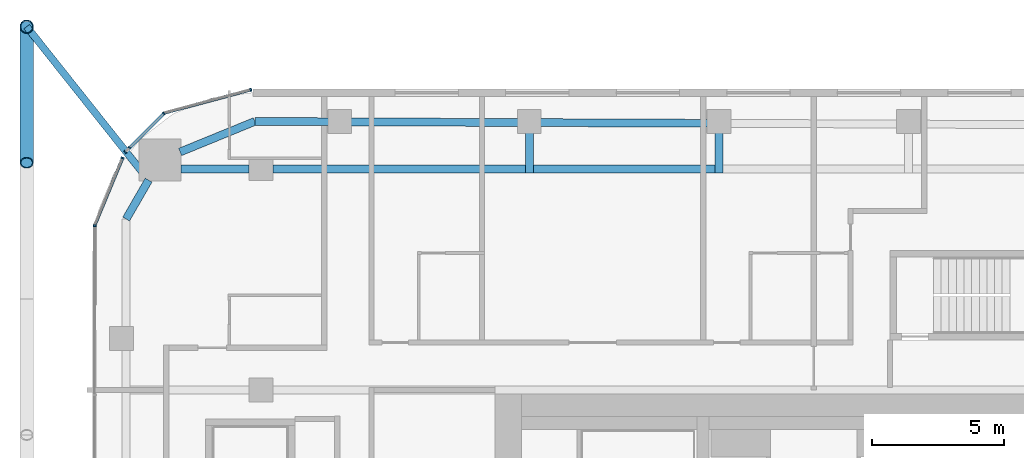
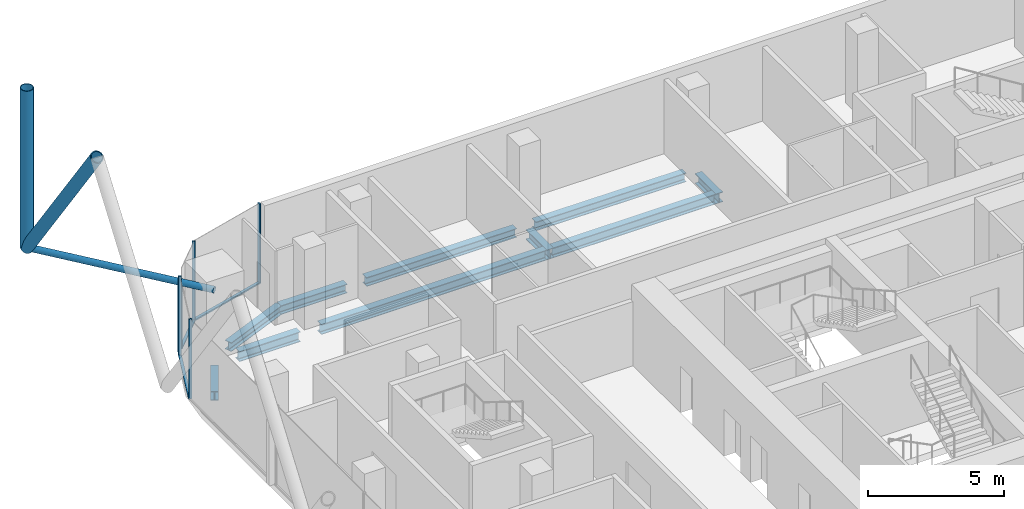
# One storey, part 11 of 33: 12 members, 10 beams, 5 elements without a shape of their own.
"""IFC4 building model written with IfcOpenShell, lengths in metres."""

from ifc_helpers import new_model, si_unit, direction, frame, origin, origin_2d, place, context, subcontext, project, spatial, rectangle, hollow_circle, i_section, extrude, material, layer, layer_set, material_profile, profile_set, type_object, element, aggregate, save


model = new_model("IFC4")

# Units and contexts
model_context = context("Model", 3, precision=1e-05, world=origin(), true_north=direction((0.0, 1.0)))
body_context = subcontext(model_context, "Body", "Model", "MODEL_VIEW")
ifc_project = project(units=[si_unit("LENGTHUNIT", "METRE"), si_unit("AREAUNIT", "SQUARE_METRE"), si_unit("VOLUMEUNIT", "CUBIC_METRE"), si_unit("PLANEANGLEUNIT", "RADIAN"), si_unit("MASSUNIT", "GRAM", prefix="KILO")], contexts=[model_context])

# Site, building, storey
site_placement = place(None, origin())
site = spatial("IfcSite", under=ifc_project, at=site_placement, CompositionType="ELEMENT")
building_placement = place(site_placement, origin())
building = spatial("IfcBuilding", under=site, at=building_placement, Name="Marenta Gate Hotel Tower", CompositionType="ELEMENT")
storey_placement = place(building_placement, frame((0.0, 0.0, 137.300048828125)))
storey = spatial("IfcBuildingStorey", under=building, at=storey_placement, Name="L31", CompositionType="ELEMENT", Elevation=137.300048828125)

# Members
ifc_material_1 = material(Name="Steel S355J2W", Category="steel")
ifc_material_profile_1 = material_profile(ifc_material_1, hollow_circle(Radius=0.25390625, WallThickness=0.02490234375, at=origin_2d()), Name="CHS 508x25")
ifc_profile_set_1 = profile_set([ifc_material_profile_1], Name="Steel S355J2W")
member_type_1 = type_object("IfcMemberType", Name="Diagrid corner post Z2 CHS 508x25", PredefinedType="POST", material=ifc_profile_set_1)
member_1_placement = place(storey_placement, frame((-29.89990234375, 30.60009765625, 3.139892578125), z_axis=(0.0, 0.0, 1.0), x_axis=(1.0, 0.0, 0.0)))
element("IfcMember", 1, at=member_1_placement, inside=storey, type_object=member_type_1, Name="L31-DR-6", PredefinedType="POST", context=body_context, shape_type="SweptSolid", body=[
    extrude(hollow_circle(Radius=0.25390625, WallThickness=0.02490234375, at=origin_2d()), origin(), (0.0, 0.0, 1.0), 7.199951171875),
])
ifc_material_2 = material(Name="Steel S355J2W", Category="steel")
ifc_material_profile_2 = material_profile(ifc_material_2, hollow_circle(Radius=0.25390625, WallThickness=0.0400390625, at=origin_2d()), Name="CHS 508x40")
ifc_profile_set_2 = profile_set([ifc_material_profile_2], Name="Steel S355J2W")
member_type_2 = type_object("IfcMemberType", Name="Diagrid diagonal Z2 CHS 508x40", PredefinedType="BRACE", material=ifc_profile_set_2)
member_2_placement = place(storey_placement, frame((-29.89990234375, 30.60009765625, 3.139892578125), z_axis=(0.0, -0.583279014058, 0.812271870595), x_axis=(1.0, 0.0, 0.0)))
element("IfcMember", 2, at=member_2_placement, inside=storey, type_object=member_type_2, Name="L31-DG-34", PredefinedType="BRACE", context=body_context, shape_type="SweptSolid", body=[
    extrude(hollow_circle(Radius=0.25390625, WallThickness=0.0400390625, at=origin_2d()), origin(), (0.0, 0.0, 1.0), 8.864013671875),
])

# Beams
ifc_material_3 = material(Name="Steel S355", Category="steel")
ifc_material_profile_3 = material_profile(ifc_material_3, i_section(OverallWidth=0.300048828125, OverallDepth=0.39990234375, WebThickness=0.013427734375, FlangeThickness=0.02392578125, FilletRadius=0.027099609375, at=origin_2d()), Name="HEB 400")
ifc_profile_set_3 = profile_set([ifc_material_profile_3], Name="Steel S355")
beam_type_1 = type_object("IfcBeamType", Name="Edge beam HEB 400", PredefinedType="SPANDREL", material=ifc_profile_set_3)
beam_1_placement = place(storey_placement, frame((-26.121337890625, 23.291748046875, -0.4599609375), z_axis=(0.500015459501, 0.866016478054, 0.0), x_axis=(-0.866016478054, 0.500015459501, 0.0)))
element("IfcBeam", 3, at=beam_1_placement, inside=storey, type_object=beam_type_1, Name="L31-EB-11", PredefinedType="SPANDREL", context=body_context, shape_type="SweptSolid", body=[
    extrude(i_section(OverallWidth=0.300048828125, OverallDepth=0.39990234375, WebThickness=0.013427734375, FlangeThickness=0.02392578125, FilletRadius=0.027099609375, at=origin_2d()), origin(), (0.0, 0.0, 1.0), 1.70703125),
])
beam_2_placement = place(storey_placement, frame((-24.072509765625, 25.839111328125, -0.4599609375), z_axis=(0.925565978946, 0.378586342356, 0.0), x_axis=(-0.378586342356, 0.925565978946, 0.0)))
element("IfcBeam", 4, at=beam_2_placement, inside=storey, type_object=beam_type_1, Name="L31-EB-12", PredefinedType="SPANDREL", context=body_context, shape_type="SweptSolid", body=[
    extrude(i_section(OverallWidth=0.300048828125, OverallDepth=0.39990234375, WebThickness=0.013427734375, FlangeThickness=0.02392578125, FilletRadius=0.027099609375, at=origin_2d()), origin(), (0.0, 0.0, 1.0), 3.06640625),
])
beam_3_placement = place(storey_placement, frame((-21.234375, 27.0, -0.4599609375), z_axis=(0.999991706293, -0.004072756516, 0.0), x_axis=(0.004072756516, 0.999991706293, 0.0)))
element("IfcBeam", 5, at=beam_3_placement, inside=storey, type_object=beam_type_1, Name="L31-EB-13", PredefinedType="SPANDREL", context=body_context, shape_type="SweptSolid", body=[
    extrude(i_section(OverallWidth=0.300048828125, OverallDepth=0.39990234375, WebThickness=0.013427734375, FlangeThickness=0.02392578125, FilletRadius=0.027099609375, at=origin_2d()), origin(), (0.0, 0.0, 1.0), 2.8173828125),
])
beam_4_placement = place(storey_placement, frame((-17.596923828125, 26.985107421875, -0.4599609375), z_axis=(0.999991780748, -0.00405443424, 0.0), x_axis=(0.00405443424, 0.999991780748, 0.0)))
element("IfcBeam", 6, at=beam_4_placement, inside=storey, type_object=beam_type_1, Name="L31-EB-14", PredefinedType="SPANDREL", context=body_context, shape_type="SweptSolid", body=[
    extrude(i_section(OverallWidth=0.300048828125, OverallDepth=0.39990234375, WebThickness=0.013427734375, FlangeThickness=0.02392578125, FilletRadius=0.027099609375, at=origin_2d()), origin(), (0.0, 0.0, 1.0), 6.3828125),
])
beam_5_placement = place(storey_placement, frame((-10.39404296875, 26.955810546875, -0.4599609375), z_axis=(0.999991624297, -0.004092839529, 0.0), x_axis=(0.004092839529, 0.999991624297, 0.0)))
element("IfcBeam", 7, at=beam_5_placement, inside=storey, type_object=beam_type_1, Name="L31-EB-15", PredefinedType="SPANDREL", context=body_context, shape_type="SweptSolid", body=[
    extrude(i_section(OverallWidth=0.300048828125, OverallDepth=0.39990234375, WebThickness=0.013427734375, FlangeThickness=0.02392578125, FilletRadius=0.027099609375, at=origin_2d()), origin(), (0.0, 0.0, 1.0), 6.382568359375),
])

# Member
ifc_material_4 = material(Name="Steel S355J2W", Category="steel")
ifc_material_profile_4 = material_profile(ifc_material_4, hollow_circle(Radius=0.136474609375, WallThickness=0.012451171875, at=origin_2d()), Name="CHS 273x12.5")
ifc_profile_set_4 = profile_set([ifc_material_profile_4], Name="Steel S355J2W")
member_type_3 = type_object("IfcMemberType", Name="Floor tie CHS 273x12.5", PredefinedType="STRUT", material=ifc_profile_set_4)
member_3_placement = place(storey_placement, frame((-29.89990234375, 30.60009765625, 3.139892578125), z_axis=(0.622094046149, -0.782942525187, 0.0), x_axis=(0.782942525187, 0.622094046149, 0.0)))
element("IfcMember", 8, at=member_3_placement, inside=storey, type_object=member_type_3, Name="L31-DR-12", PredefinedType="STRUT", context=body_context, shape_type="SweptSolid", body=[
    extrude(hollow_circle(Radius=0.136474609375, WallThickness=0.012451171875, at=origin_2d()), origin(), (0.0, 0.0, 1.0), 7.43896484375),
])

# Beams
ifc_material_5 = material(Name="Steel S355", Category="steel")
ifc_material_profile_5 = material_profile(ifc_material_5, i_section(OverallWidth=0.300048828125, OverallDepth=0.449951171875, WebThickness=0.013916015625, FlangeThickness=0.02587890625, FilletRadius=0.027099609375, at=origin_2d()), Name="HEB 450")
ifc_profile_set_5 = profile_set([ifc_material_profile_5], Name="Steel S355")
beam_type_2 = type_object("IfcBeamType", Name="Girder HEB 450", PredefinedType="BEAM", material=ifc_profile_set_5)
beam_6_placement = place(storey_placement, frame((-24.035400390625, 25.199951171875, -0.485107421875), z_axis=(1.0, 0.0, 0.0), x_axis=(0.0, 1.0, 0.0)))
element("IfcBeam", 9, at=beam_6_placement, inside=storey, type_object=beam_type_2, Name="L31-GD-29", PredefinedType="BEAM", context=body_context, shape_type="SweptSolid", body=[
    extrude(i_section(OverallWidth=0.300048828125, OverallDepth=0.449951171875, WebThickness=0.013916015625, FlangeThickness=0.02587890625, FilletRadius=0.027099609375, at=origin_2d()), origin(), (0.0, 0.0, 1.0), 2.58544921875),
])
beam_7_placement = place(storey_placement, frame((-20.550048828125, 25.199951171875, -0.485107421875), z_axis=(1.0, 0.0, 0.0), x_axis=(0.0, 1.0, 0.0)))
element("IfcBeam", 10, at=beam_7_placement, inside=storey, type_object=beam_type_2, Name="L31-GD-30", PredefinedType="BEAM", context=body_context, shape_type="SweptSolid", body=[
    extrude(i_section(OverallWidth=0.300048828125, OverallDepth=0.449951171875, WebThickness=0.013916015625, FlangeThickness=0.02587890625, FilletRadius=0.027099609375, at=origin_2d()), origin(), (0.0, 0.0, 1.0), 9.595947265625),
])
beam_8_placement = place(storey_placement, frame((-10.654052734375, 25.199951171875, -0.485107421875), z_axis=(1.0, 0.0, 0.0), x_axis=(0.0, 1.0, 0.0)))
element("IfcBeam", 11, at=beam_8_placement, inside=storey, type_object=beam_type_2, Name="L31-GD-31", PredefinedType="BEAM", context=body_context, shape_type="SweptSolid", body=[
    extrude(i_section(OverallWidth=0.300048828125, OverallDepth=0.449951171875, WebThickness=0.013916015625, FlangeThickness=0.02587890625, FilletRadius=0.027099609375, at=origin_2d()), origin(), (0.0, 0.0, 1.0), 6.902587890625),
])
ifc_material_6 = material(Name="Steel S355", Category="steel")
ifc_material_profile_6 = material_profile(ifc_material_6, i_section(OverallWidth=0.300048828125, OverallDepth=0.449951171875, WebThickness=0.013916015625, FlangeThickness=0.02587890625, FilletRadius=0.027099609375, at=origin_2d()), Name="HEB 450")
ifc_profile_set_6 = profile_set([ifc_material_profile_6], Name="Steel S355")
beam_type_3 = type_object("IfcBeamType", Name="Girder bracket HEB 450", PredefinedType="BEAM", material=ifc_profile_set_6)
for number, where, z_axis, x_axis, name in (
    (12, (-10.80419921875, 25.050048828125, -0.485107421875), (0.0, 1.0, 0.0), (-1.0, 0.0, 0.0), "L31-GS-1"),
    (13, (-3.601318359375, 25.050048828125, -0.485107421875), (0.0, 1.0, 0.0), (-1.0, 0.0, 0.0), "L31-GS-2"),
):
    element("IfcBeam", number, at=place(storey_placement, frame(where, z_axis=z_axis, x_axis=x_axis)), inside=storey, type_object=beam_type_3, Name=name, PredefinedType="BEAM", context=body_context, shape_type="SweptSolid", body=[
        extrude(i_section(OverallWidth=0.300048828125, OverallDepth=0.449951171875, WebThickness=0.013916015625, FlangeThickness=0.02587890625, FilletRadius=0.027099609375, at=origin_2d()), origin(), (0.0, 0.0, 1.0), 1.5400390625),
    ])

# Curtain wall, member
ifc_material_7 = material(Name="Tinted insulated glass in bronze anodised frame", Category="glass")
ifc_layer = layer(ifc_material_7, 0.1201171875)
ifc_layer_set = layer_set([ifc_layer], Name="Tinted insulated glass in bronze anodised frame")
curtain_wall_type = type_object("IfcCurtainWallType", Name="Tower unitised curtain wall CW1", PredefinedType="NOTDEFINED", material=ifc_layer_set)
curtain_wall_1_placement = place(storey_placement, origin())
curtain_wall_1 = element("IfcCurtainWall", 14, at=curtain_wall_1_placement, inside=storey, type_object=curtain_wall_type, Name="CW1 run G00", PredefinedType="NOTDEFINED")
ifc_material_8 = material(Name="Bronze anodised aluminium", Category="aluminium")
ifc_material_profile_7 = material_profile(ifc_material_8, rectangle(XDim=0.1201171875, YDim=0.06005859375, at=origin_2d()), Name="Mullion CW1 60x120 bronze anodised aluminium")
ifc_profile_set_7 = profile_set([ifc_material_profile_7], Name="Bronze anodised aluminium")
member_type_4 = type_object("IfcMemberType", Name="Mullion CW1 60x120 bronze anodised aluminium", PredefinedType="MULLION", material=ifc_profile_set_7)
member_4_placement = place(storey_placement, frame((-21.385498046875, 28.203125, 0.0), z_axis=(0.0, 0.0, 1.0), x_axis=(0.258801234873, -0.96593059835, 0.0)))
member_4 = element("IfcMember", 15, at=member_4_placement, type_object=member_type_4, Name="CW1 mullion 1", PredefinedType="MULLION", context=body_context, shape_type="SweptSolid", body=[
    extrude(rectangle(XDim=0.1201171875, YDim=0.06005859375, at=origin_2d()), origin(), (0.0, 0.0, 1.0), 3.599853515625),
])

curtain_wall_2_placement = place(storey_placement, origin())
curtain_wall_2 = element("IfcCurtainWall", 16, at=curtain_wall_2_placement, inside=storey, type_object=curtain_wall_type, Name="CW1 run G01", PredefinedType="NOTDEFINED")
member_5_placement = place(storey_placement, frame((-24.68798828125, 27.302978515625, 0.0), z_axis=(0.0, 0.0, 1.0), x_axis=(0.707106781187, -0.707106781187, 0.0)))
member_5 = element("IfcMember", 17, at=member_5_placement, type_object=member_type_4, Name="CW1 mullion 1", PredefinedType="MULLION", context=body_context, shape_type="SweptSolid", body=[
    extrude(rectangle(XDim=0.1201171875, YDim=0.06005859375, at=origin_2d()), origin(), (0.0, 0.0, 1.0), 3.599853515625),
])

# Curtain wall, members
curtain_wall_3_placement = place(storey_placement, origin())
curtain_wall_3 = element("IfcCurtainWall", 18, at=curtain_wall_3_placement, inside=storey, type_object=curtain_wall_type, Name="CW1 run G02", PredefinedType="NOTDEFINED")
member_6_placement = place(storey_placement, frame((-25.992431640625, 25.998291015625, 0.0), z_axis=(0.0, 0.0, 1.0), x_axis=(0.707106781187, -0.707106781187, 0.0)))
member_6 = element("IfcMember", 19, at=member_6_placement, type_object=member_type_4, Name="CW1 mullion 1", PredefinedType="MULLION", context=body_context, shape_type="SweptSolid", body=[
    extrude(rectangle(XDim=0.1201171875, YDim=0.06005859375, at=origin_2d()), origin(), (0.0, 0.0, 1.0), 3.00048828125),
])
member_7_placement = place(storey_placement, frame((-26.151123046875, 25.839599609375, 0.0), z_axis=(0.0, 0.0, 1.0), x_axis=(0.707106781187, -0.707106781187, 0.0)))
member_7 = element("IfcMember", 20, at=member_7_placement, type_object=member_type_4, Name="CW1 mullion 2", PredefinedType="MULLION", context=body_context, shape_type="SweptSolid", body=[
    extrude(rectangle(XDim=0.1201171875, YDim=0.06005859375, at=origin_2d()), origin(), (0.0, 0.0, 1.0), 3.00048828125),
])
aggregate(curtain_wall_3, [member_6, member_7])

# Curtain wall, member
curtain_wall_4_placement = place(storey_placement, origin())
curtain_wall_4 = element("IfcCurtainWall", 21, at=curtain_wall_4_placement, inside=storey, type_object=curtain_wall_type, Name="CW1 run G03", PredefinedType="NOTDEFINED")
member_8_placement = place(storey_placement, frame((-26.25830078125, 25.610595703125, 0.0), z_axis=(0.0, 0.0, 1.0), x_axis=(0.923879367898, -0.382683829775, 0.0)))
member_8 = element("IfcMember", 22, at=member_8_placement, type_object=member_type_4, Name="CW1 mullion 1", PredefinedType="MULLION", context=body_context, shape_type="SweptSolid", body=[
    extrude(rectangle(XDim=0.1201171875, YDim=0.06005859375, at=origin_2d()), origin(), (0.0, 0.0, 1.0), 3.599853515625),
])

curtain_wall_5_placement = place(storey_placement, origin())
curtain_wall_5 = element("IfcCurtainWall", 23, at=curtain_wall_5_placement, inside=storey, type_object=curtain_wall_type, Name="CW1 run G04", PredefinedType="NOTDEFINED")
member_9_placement = place(storey_placement, frame((-27.312255859375, 23.0361328125, 0.0), z_axis=(0.0, 0.0, 1.0), x_axis=(0.99999877375, -0.001566045546, 0.0)))
member_9 = element("IfcMember", 24, at=member_9_placement, type_object=member_type_4, Name="CW1 mullion 1", PredefinedType="MULLION", context=body_context, shape_type="SweptSolid", body=[
    extrude(rectangle(XDim=0.1201171875, YDim=0.06005859375, at=origin_2d()), origin(), (0.0, 0.0, 1.0), 3.599853515625),
])
aggregate(curtain_wall_5, [member_9])

# Member
ifc_material_9 = material(Name="Bronze anodised aluminium", Category="aluminium")
ifc_material_profile_8 = material_profile(ifc_material_9, rectangle(XDim=0.1201171875, YDim=0.06005859375, at=origin_2d()), Name="Transom CW1 60x120 bronze anodised aluminium")
ifc_profile_set_8 = profile_set([ifc_material_profile_8], Name="Bronze anodised aluminium")
member_type_5 = type_object("IfcMemberType", Name="Transom CW1 60x120 bronze anodised aluminium", PredefinedType="USERDEFINED", material=ifc_profile_set_8)
member_10_placement = place(storey_placement, frame((-21.41455078125, 28.195556640625, 0.030029296875), z_axis=(-0.965932192411, -0.258795285243, 0.0), x_axis=(0.258795285243, -0.965932192411, 0.0)))
member_10 = element("IfcMember", 25, at=member_10_placement, type_object=member_type_5, Name="CW1 transom 1.1", ObjectType="TRANSOM", PredefinedType="USERDEFINED", context=body_context, shape_type="SweptSolid", body=[
    extrude(rectangle(XDim=0.1201171875, YDim=0.06005859375, at=origin_2d()), origin(), (0.0, 0.0, 1.0), 3.366943359375),
])

aggregate(curtain_wall_1, [member_4, member_10])

member_11_placement = place(storey_placement, frame((-24.709228515625, 27.28173828125, 0.030029296875), z_axis=(-0.707038385696, -0.707175170062, 0.0), x_axis=(0.707175170062, -0.707038385696, 0.0)))
member_11 = element("IfcMember", 26, at=member_11_placement, type_object=member_type_5, Name="CW1 transom 1.1", ObjectType="TRANSOM", PredefinedType="USERDEFINED", context=body_context, shape_type="SweptSolid", body=[
    extrude(rectangle(XDim=0.1201171875, YDim=0.06005859375, at=origin_2d()), origin(), (0.0, 0.0, 1.0), 1.784912109375),
])

aggregate(curtain_wall_2, [member_5, member_11])

member_12_placement = place(storey_placement, frame((-26.269775390625, 25.582763671875, 0.030029296875), z_axis=(-0.382705357384, -0.923870450566, 0.0), x_axis=(0.923870450566, -0.382705357384, 0.0)))
member_12 = element("IfcMember", 27, at=member_12_placement, type_object=member_type_5, Name="CW1 transom 1.1", ObjectType="TRANSOM", PredefinedType="USERDEFINED", context=body_context, shape_type="SweptSolid", body=[
    extrude(rectangle(XDim=0.1201171875, YDim=0.06005859375, at=origin_2d()), origin(), (0.0, 0.0, 1.0), 2.723876953125),
])

aggregate(curtain_wall_4, [member_8, member_12])

save(model, "model.ifc")
